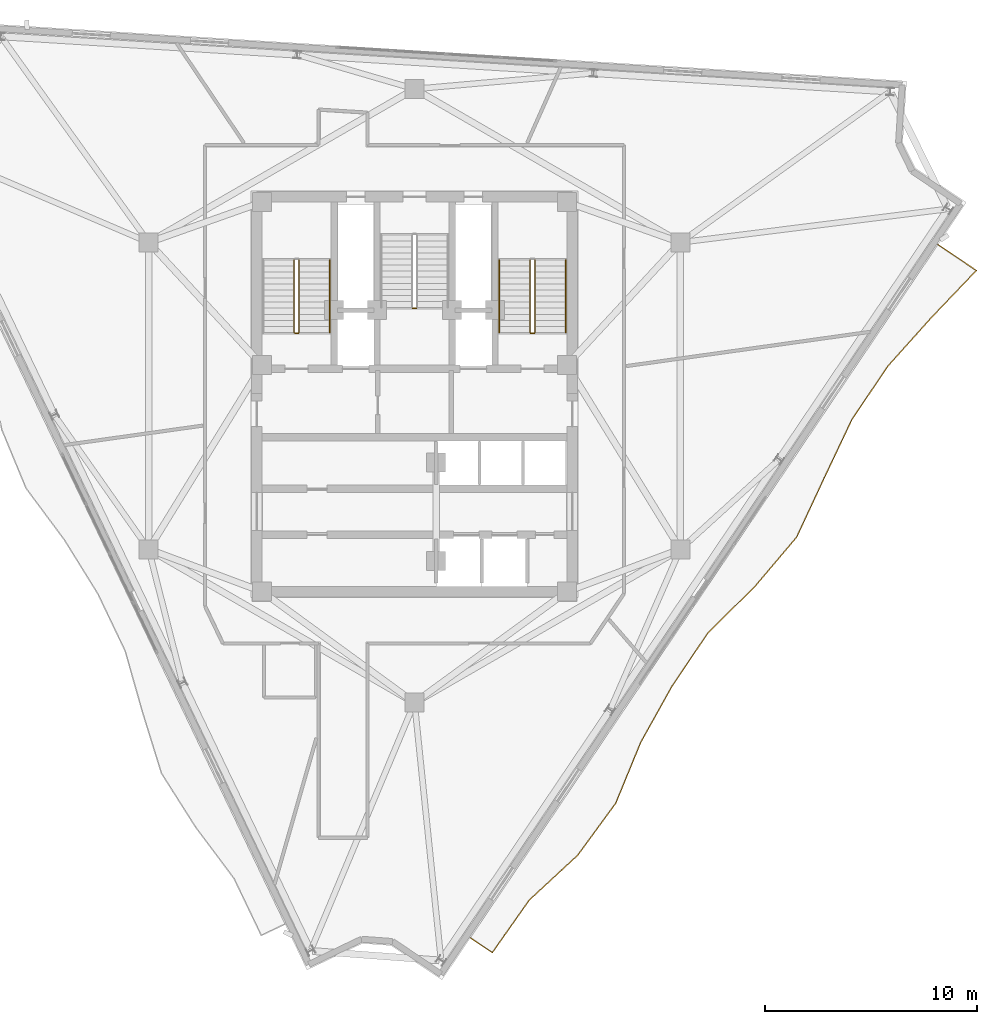
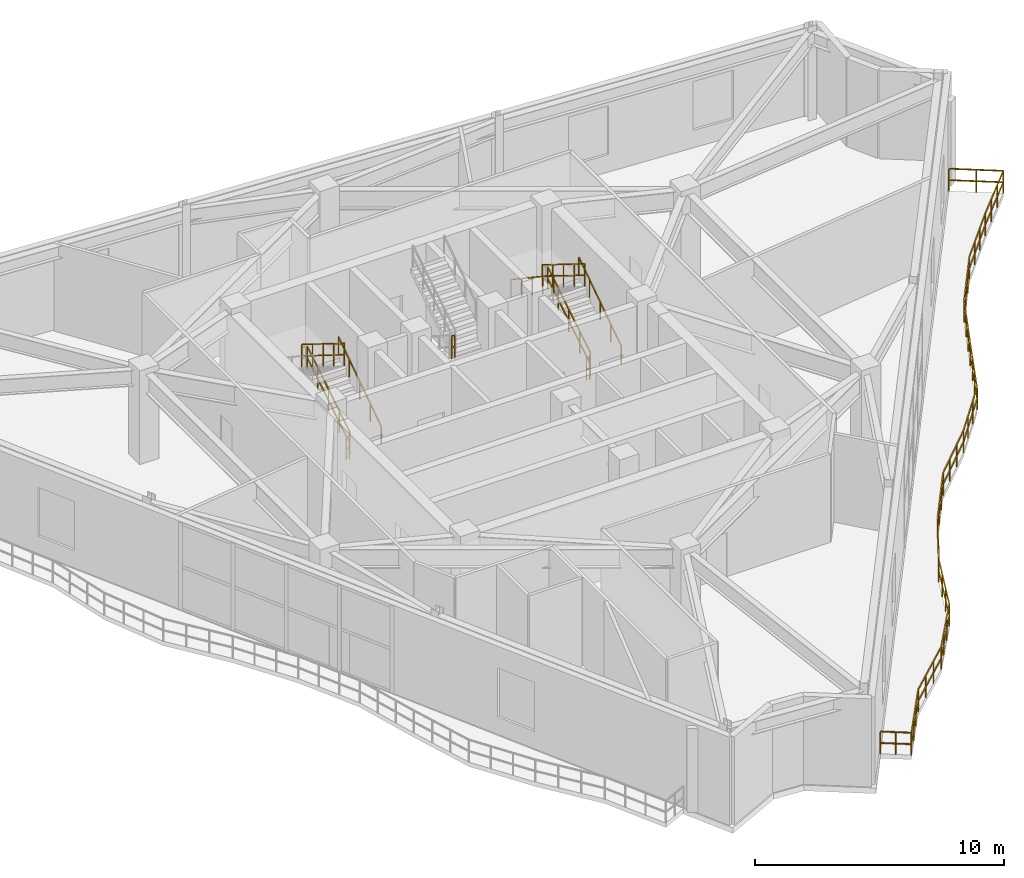
# One storey, part 14 of 15: 11 railings.
"""IFC4 building model written with IfcOpenShell, lengths in metres."""

from ifc_helpers import new_model, si_unit, direction, frame, origin, origin_2d, place, context, subcontext, project, spatial, rectangle, extrude, material, type_object, element, save


model = new_model("IFC4")

# Units and contexts
model_context = context("Model", 3, precision=1e-05, world=origin(), true_north=direction((0.0, 1.0)))
body_context = subcontext(model_context, "Body", "Model", "MODEL_VIEW")
ifc_project = project(units=[si_unit("LENGTHUNIT", "METRE"), si_unit("AREAUNIT", "SQUARE_METRE"), si_unit("VOLUMEUNIT", "CUBIC_METRE"), si_unit("PLANEANGLEUNIT", "RADIAN"), si_unit("MASSUNIT", "GRAM", prefix="KILO")], contexts=[model_context])

# Site, building, storey
site_placement = place(None, origin())
site = spatial("IfcSite", under=ifc_project, at=site_placement, CompositionType="ELEMENT")
building_placement = place(site_placement, origin())
building = spatial("IfcBuilding", under=site, at=building_placement, Name="Apsidion Concourse Tower", CompositionType="ELEMENT")
storey_placement = place(building_placement, frame((0.0, 0.0, 318.800048828125)))
storey = spatial("IfcBuildingStorey", under=building, at=storey_placement, Name="L75", CompositionType="ELEMENT", Elevation=318.800048828125)

# Railings
ifc_material = material(Name="Brushed stainless steel 316", Category="steel")
railing_type_1 = type_object("IfcRailingType", Name="RL-BAL-1120", PredefinedType="BALUSTRADE", material=ifc_material)
railing_1_placement = place(storey_placement, frame((24.735595703125, 7.147216796875, 0.0)))
element("IfcRailing", 1, at=railing_1_placement, inside=storey, type_object=railing_type_1, Name="L75 Face 2 Rippling Balcony Balustrade", PredefinedType="BALUSTRADE", context=body_context, shape_type="SweptSolid", body=[
    extrude(rectangle(XDim=0.048095703125, YDim=0.048095703125, at=origin_2d()), frame((0.0, 0.0, 1.09619140625), z_axis=(0.8290516813, -0.559171985827, 0.0), x_axis=(0.559171985827, 0.8290516813, 0.0)), (0.0, 0.0, 1.0), 2.188232421875),
    extrude(rectangle(XDim=0.048095703125, YDim=0.048095703125, at=origin_2d()), frame((0.0, 0.0, 0.5361328125), z_axis=(0.8290516813, -0.559171985827, 0.0), x_axis=(0.559171985827, 0.8290516813, 0.0)), (0.0, 0.0, 1.0), 2.188232421875),
    extrude(rectangle(XDim=0.048095703125, YDim=0.048095703125, at=origin_2d()), frame((1.814208984375, -1.2236328125, 1.09619140625), z_axis=(-0.690445615057, -0.72338430495, 0.0), x_axis=(0.72338430495, -0.690445615057, 0.0)), (0.0, 0.0, 1.0), 3.08349609375),
    extrude(rectangle(XDim=0.048095703125, YDim=0.048095703125, at=origin_2d()), frame((1.814208984375, -1.2236328125, 0.5361328125), z_axis=(-0.690445615057, -0.72338430495, 0.0), x_axis=(0.72338430495, -0.690445615057, 0.0)), (0.0, 0.0, 1.0), 3.08349609375),
    extrude(rectangle(XDim=0.048095703125, YDim=0.048095703125, at=origin_2d()), frame((-0.314697265625, -3.4541015625, 1.09619140625), z_axis=(-0.66759216332, -0.744527167721, 0.0), x_axis=(0.744527167721, -0.66759216332, 0.0)), (0.0, 0.0, 1.0), 3.068603515625),
    extrude(rectangle(XDim=0.048095703125, YDim=0.048095703125, at=origin_2d()), frame((-0.314697265625, -3.4541015625, 0.5361328125), z_axis=(-0.66759216332, -0.744527167721, 0.0), x_axis=(0.744527167721, -0.66759216332, 0.0)), (0.0, 0.0, 1.0), 3.068603515625),
    extrude(rectangle(XDim=0.048095703125, YDim=0.048095703125, at=origin_2d()), frame((-2.36328125, -5.73876953125, 1.09619140625), z_axis=(-0.559177617013, -0.829047883196, 0.0), x_axis=(0.829047883196, -0.559177617013, 0.0)), (0.0, 0.0, 1.0), 3.03955078125),
    extrude(rectangle(XDim=0.048095703125, YDim=0.048095703125, at=origin_2d()), frame((-2.36328125, -5.73876953125, 0.5361328125), z_axis=(-0.559177617013, -0.829047883196, 0.0), x_axis=(0.829047883196, -0.559177617013, 0.0)), (0.0, 0.0, 1.0), 3.03955078125),
    extrude(rectangle(XDim=0.048095703125, YDim=0.048095703125, at=origin_2d()), frame((-4.06298828125, -8.2587890625, 1.09619140625), z_axis=(-0.428086344739, -0.903737838894, 0.0), x_axis=(0.903737838894, -0.428086344739, 0.0)), (0.0, 0.0, 1.0), 3.074462890625),
    extrude(rectangle(XDim=0.048095703125, YDim=0.048095703125, at=origin_2d()), frame((-4.06298828125, -8.2587890625, 0.5361328125), z_axis=(-0.428086344739, -0.903737838894, 0.0), x_axis=(0.903737838894, -0.428086344739, 0.0)), (0.0, 0.0, 1.0), 3.074462890625),
    extrude(rectangle(XDim=0.048095703125, YDim=0.048095703125, at=origin_2d()), frame((-5.379150390625, -11.037353515625, 1.09619140625), z_axis=(-0.422355557986, -0.906430241463, 0.0), x_axis=(0.906430241463, -0.422355557986, 0.0)), (0.0, 0.0, 1.0), 3.077392578125),
    extrude(rectangle(XDim=0.048095703125, YDim=0.048095703125, at=origin_2d()), frame((-5.379150390625, -11.037353515625, 0.5361328125), z_axis=(-0.422355557986, -0.906430241463, 0.0), x_axis=(0.906430241463, -0.422355557986, 0.0)), (0.0, 0.0, 1.0), 3.077392578125),
    extrude(rectangle(XDim=0.048095703125, YDim=0.048095703125, at=origin_2d()), frame((-6.678955078125, -13.826904296875, 1.09619140625), z_axis=(-0.645985188841, -0.76334994321, 0.0), x_axis=(0.76334994321, -0.645985188841, 0.0)), (0.0, 0.0, 1.0), 3.057861328125),
    extrude(rectangle(XDim=0.048095703125, YDim=0.048095703125, at=origin_2d()), frame((-6.678955078125, -13.826904296875, 0.5361328125), z_axis=(-0.645985188841, -0.76334994321, 0.0), x_axis=(0.76334994321, -0.645985188841, 0.0)), (0.0, 0.0, 1.0), 3.057861328125),
    extrude(rectangle(XDim=0.048095703125, YDim=0.048095703125, at=origin_2d()), frame((-8.654296875, -16.1611328125, 1.09619140625), z_axis=(-0.711932475654, -0.702247926383, 0.0), x_axis=(0.702247926383, -0.711932475654, 0.0)), (0.0, 0.0, 1.0), 3.100830078125),
    extrude(rectangle(XDim=0.048095703125, YDim=0.048095703125, at=origin_2d()), frame((-8.654296875, -16.1611328125, 0.5361328125), z_axis=(-0.711932475654, -0.702247926383, 0.0), x_axis=(0.702247926383, -0.711932475654, 0.0)), (0.0, 0.0, 1.0), 3.100830078125),
    extrude(rectangle(XDim=0.048095703125, YDim=0.048095703125, at=origin_2d()), frame((-10.86181640625, -18.338623046875, 1.09619140625), z_axis=(-0.559214853397, -0.82902276672, 0.0), x_axis=(0.82902276672, -0.559214853397, 0.0)), (0.0, 0.0, 1.0), 3.03955078125),
    extrude(rectangle(XDim=0.048095703125, YDim=0.048095703125, at=origin_2d()), frame((-10.86181640625, -18.338623046875, 0.5361328125), z_axis=(-0.559214853397, -0.82902276672, 0.0), x_axis=(0.82902276672, -0.559214853397, 0.0)), (0.0, 0.0, 1.0), 3.03955078125),
    extrude(rectangle(XDim=0.048095703125, YDim=0.048095703125, at=origin_2d()), frame((-12.5615234375, -20.8583984375, 1.09619140625), z_axis=(-0.486593966208, -0.873628245909, 0.0), x_axis=(0.873628245909, -0.486593966208, 0.0)), (0.0, 0.0, 1.0), 3.050537109375),
    extrude(rectangle(XDim=0.048095703125, YDim=0.048095703125, at=origin_2d()), frame((-12.5615234375, -20.8583984375, 0.5361328125), z_axis=(-0.486593966208, -0.873628245909, 0.0), x_axis=(0.873628245909, -0.486593966208, 0.0)), (0.0, 0.0, 1.0), 3.050537109375),
    extrude(rectangle(XDim=0.048095703125, YDim=0.048095703125, at=origin_2d()), frame((-14.0458984375, -23.5234375, 1.09619140625), z_axis=(-0.379728966682, -0.925097785027, 0.0), x_axis=(0.925097785027, -0.379728966682, 0.0)), (0.0, 0.0, 1.0), 3.10400390625),
    extrude(rectangle(XDim=0.048095703125, YDim=0.048095703125, at=origin_2d()), frame((-14.0458984375, -23.5234375, 0.5361328125), z_axis=(-0.379728966682, -0.925097785027, 0.0), x_axis=(0.925097785027, -0.379728966682, 0.0)), (0.0, 0.0, 1.0), 3.10400390625),
    extrude(rectangle(XDim=0.048095703125, YDim=0.048095703125, at=origin_2d()), frame((-15.224609375, -26.39501953125, 1.09619140625), z_axis=(-0.590026651424, -0.807383769102, 0.0), x_axis=(0.807383769102, -0.590026651424, 0.0)), (0.0, 0.0, 1.0), 3.041748046875),
    extrude(rectangle(XDim=0.048095703125, YDim=0.048095703125, at=origin_2d()), frame((-15.224609375, -26.39501953125, 0.5361328125), z_axis=(-0.590026651424, -0.807383769102, 0.0), x_axis=(0.807383769102, -0.590026651424, 0.0)), (0.0, 0.0, 1.0), 3.041748046875),
    extrude(rectangle(XDim=0.048095703125, YDim=0.048095703125, at=origin_2d()), frame((-17.019287109375, -28.850830078125, 1.09619140625), z_axis=(-0.73375923013, -0.679409590895, 0.0), x_axis=(0.679409590895, -0.73375923013, 0.0)), (0.0, 0.0, 1.0), 3.1220703125),
    extrude(rectangle(XDim=0.048095703125, YDim=0.048095703125, at=origin_2d()), frame((-17.019287109375, -28.850830078125, 0.5361328125), z_axis=(-0.73375923013, -0.679409590895, 0.0), x_axis=(0.679409590895, -0.73375923013, 0.0)), (0.0, 0.0, 1.0), 3.1220703125),
    extrude(rectangle(XDim=0.048095703125, YDim=0.048095703125, at=origin_2d()), frame((-19.31005859375, -30.971923828125, 1.09619140625), z_axis=(-0.575610760272, -0.817723824197, 0.0), x_axis=(0.817723824197, -0.575610760272, 0.0)), (0.0, 0.0, 1.0), 3.040283203125),
    extrude(rectangle(XDim=0.048095703125, YDim=0.048095703125, at=origin_2d()), frame((-19.31005859375, -30.971923828125, 0.5361328125), z_axis=(-0.575610760272, -0.817723824197, 0.0), x_axis=(0.817723824197, -0.575610760272, 0.0)), (0.0, 0.0, 1.0), 3.040283203125),
    extrude(rectangle(XDim=0.048095703125, YDim=0.048095703125, at=origin_2d()), frame((-21.06005859375, -33.4580078125, 1.09619140625), z_axis=(-0.829002629562, 0.559244705098, 0.0), x_axis=(-0.559244705098, -0.829002629562, 0.0)), (0.0, 0.0, 1.0), 1.249755859375),
    extrude(rectangle(XDim=0.048095703125, YDim=0.048095703125, at=origin_2d()), frame((-21.06005859375, -33.4580078125, 0.5361328125), z_axis=(-0.829002629562, 0.559244705098, 0.0), x_axis=(-0.559244705098, -0.829002629562, 0.0)), (0.0, 0.0, 1.0), 1.249755859375),
    extrude(rectangle(XDim=0.0419921875, YDim=0.0419921875, at=origin_2d()), origin(), (0.0, 0.0, 1.0), 1.072021484375),
    extrude(rectangle(XDim=0.0419921875, YDim=0.0419921875, at=origin_2d()), frame((0.9072265625, -0.61181640625, 0.0)), (0.0, 0.0, 1.0), 1.072021484375),
    extrude(rectangle(XDim=0.0419921875, YDim=0.0419921875, at=origin_2d()), frame((1.814208984375, -1.2236328125, 0.0)), (0.0, 0.0, 1.0), 1.072021484375),
    extrude(rectangle(XDim=0.0419921875, YDim=0.0419921875, at=origin_2d()), frame((1.1044921875, -1.967041015625, 0.0)), (0.0, 0.0, 1.0), 1.072021484375),
    extrude(rectangle(XDim=0.0419921875, YDim=0.0419921875, at=origin_2d()), frame((0.39501953125, -2.710693359375, 0.0)), (0.0, 0.0, 1.0), 1.072021484375),
    extrude(rectangle(XDim=0.0419921875, YDim=0.0419921875, at=origin_2d()), frame((-0.314697265625, -3.4541015625, 0.0)), (0.0, 0.0, 1.0), 1.072021484375),
    extrude(rectangle(XDim=0.0419921875, YDim=0.0419921875, at=origin_2d()), frame((-0.99755859375, -4.215576171875, 0.0)), (0.0, 0.0, 1.0), 1.072021484375),
    extrude(rectangle(XDim=0.0419921875, YDim=0.0419921875, at=origin_2d()), frame((-1.680419921875, -4.977294921875, 0.0)), (0.0, 0.0, 1.0), 1.072021484375),
    extrude(rectangle(XDim=0.0419921875, YDim=0.0419921875, at=origin_2d()), frame((-2.36328125, -5.73876953125, 0.0)), (0.0, 0.0, 1.0), 1.072021484375),
    extrude(rectangle(XDim=0.0419921875, YDim=0.0419921875, at=origin_2d()), frame((-2.929931640625, -6.578857421875, 0.0)), (0.0, 0.0, 1.0), 1.072021484375),
    extrude(rectangle(XDim=0.0419921875, YDim=0.0419921875, at=origin_2d()), frame((-3.496337890625, -7.418701171875, 0.0)), (0.0, 0.0, 1.0), 1.072021484375),
    extrude(rectangle(XDim=0.0419921875, YDim=0.0419921875, at=origin_2d()), frame((-4.06298828125, -8.2587890625, 0.0)), (0.0, 0.0, 1.0), 1.072021484375),
    extrude(rectangle(XDim=0.0419921875, YDim=0.0419921875, at=origin_2d()), frame((-4.501708984375, -9.18505859375, 0.0)), (0.0, 0.0, 1.0), 1.072021484375),
    extrude(rectangle(XDim=0.0419921875, YDim=0.0419921875, at=origin_2d()), frame((-4.9404296875, -10.111083984375, 0.0)), (0.0, 0.0, 1.0), 1.072021484375),
    extrude(rectangle(XDim=0.0419921875, YDim=0.0419921875, at=origin_2d()), frame((-5.379150390625, -11.037353515625, 0.0)), (0.0, 0.0, 1.0), 1.072021484375),
    extrude(rectangle(XDim=0.0419921875, YDim=0.0419921875, at=origin_2d()), frame((-5.8125, -11.96728515625, 0.0)), (0.0, 0.0, 1.0), 1.072021484375),
    extrude(rectangle(XDim=0.0419921875, YDim=0.0419921875, at=origin_2d()), frame((-6.24560546875, -12.89697265625, 0.0)), (0.0, 0.0, 1.0), 1.072021484375),
    extrude(rectangle(XDim=0.0419921875, YDim=0.0419921875, at=origin_2d()), frame((-6.678955078125, -13.826904296875, 0.0)), (0.0, 0.0, 1.0), 1.072021484375),
    extrude(rectangle(XDim=0.0419921875, YDim=0.0419921875, at=origin_2d()), frame((-7.33740234375, -14.60498046875, 0.0)), (0.0, 0.0, 1.0), 1.072021484375),
    extrude(rectangle(XDim=0.0419921875, YDim=0.0419921875, at=origin_2d()), frame((-7.995849609375, -15.383056640625, 0.0)), (0.0, 0.0, 1.0), 1.072021484375),
    extrude(rectangle(XDim=0.0419921875, YDim=0.0419921875, at=origin_2d()), frame((-8.654296875, -16.1611328125, 0.0)), (0.0, 0.0, 1.0), 1.072021484375),
    extrude(rectangle(XDim=0.0419921875, YDim=0.0419921875, at=origin_2d()), frame((-9.39013671875, -16.886962890625, 0.0)), (0.0, 0.0, 1.0), 1.072021484375),
    extrude(rectangle(XDim=0.0419921875, YDim=0.0419921875, at=origin_2d()), frame((-10.1259765625, -17.61279296875, 0.0)), (0.0, 0.0, 1.0), 1.072021484375),
    extrude(rectangle(XDim=0.0419921875, YDim=0.0419921875, at=origin_2d()), frame((-10.86181640625, -18.338623046875, 0.0)), (0.0, 0.0, 1.0), 1.072021484375),
    extrude(rectangle(XDim=0.0419921875, YDim=0.0419921875, at=origin_2d()), frame((-11.428466796875, -19.178466796875, 0.0)), (0.0, 0.0, 1.0), 1.072021484375),
    extrude(rectangle(XDim=0.0419921875, YDim=0.0419921875, at=origin_2d()), frame((-11.994873046875, -20.0185546875, 0.0)), (0.0, 0.0, 1.0), 1.072021484375),
    extrude(rectangle(XDim=0.0419921875, YDim=0.0419921875, at=origin_2d()), frame((-12.5615234375, -20.8583984375, 0.0)), (0.0, 0.0, 1.0), 1.072021484375),
    extrude(rectangle(XDim=0.0419921875, YDim=0.0419921875, at=origin_2d()), frame((-13.056396484375, -21.746826171875, 0.0)), (0.0, 0.0, 1.0), 1.072021484375),
    extrude(rectangle(XDim=0.0419921875, YDim=0.0419921875, at=origin_2d()), frame((-13.551025390625, -22.635009765625, 0.0)), (0.0, 0.0, 1.0), 1.072021484375),
    extrude(rectangle(XDim=0.0419921875, YDim=0.0419921875, at=origin_2d()), frame((-14.0458984375, -23.5234375, 0.0)), (0.0, 0.0, 1.0), 1.072021484375),
    extrude(rectangle(XDim=0.0419921875, YDim=0.0419921875, at=origin_2d()), frame((-14.438720703125, -24.480712890625, 0.0)), (0.0, 0.0, 1.0), 1.072021484375),
    extrude(rectangle(XDim=0.0419921875, YDim=0.0419921875, at=origin_2d()), frame((-14.831787109375, -25.437744140625, 0.0)), (0.0, 0.0, 1.0), 1.072021484375),
    extrude(rectangle(XDim=0.0419921875, YDim=0.0419921875, at=origin_2d()), frame((-15.224609375, -26.39501953125, 0.0)), (0.0, 0.0, 1.0), 1.072021484375),
    extrude(rectangle(XDim=0.0419921875, YDim=0.0419921875, at=origin_2d()), frame((-15.82275390625, -27.213623046875, 0.0)), (0.0, 0.0, 1.0), 1.072021484375),
    extrude(rectangle(XDim=0.0419921875, YDim=0.0419921875, at=origin_2d()), frame((-16.421142578125, -28.0322265625, 0.0)), (0.0, 0.0, 1.0), 1.072021484375),
    extrude(rectangle(XDim=0.0419921875, YDim=0.0419921875, at=origin_2d()), frame((-17.019287109375, -28.850830078125, 0.0)), (0.0, 0.0, 1.0), 1.072021484375),
    extrude(rectangle(XDim=0.0419921875, YDim=0.0419921875, at=origin_2d()), frame((-17.782958984375, -29.557861328125, 0.0)), (0.0, 0.0, 1.0), 1.072021484375),
    extrude(rectangle(XDim=0.0419921875, YDim=0.0419921875, at=origin_2d()), frame((-18.54638671875, -30.264892578125, 0.0)), (0.0, 0.0, 1.0), 1.072021484375),
    extrude(rectangle(XDim=0.0419921875, YDim=0.0419921875, at=origin_2d()), frame((-19.31005859375, -30.971923828125, 0.0)), (0.0, 0.0, 1.0), 1.072021484375),
    extrude(rectangle(XDim=0.0419921875, YDim=0.0419921875, at=origin_2d()), frame((-19.893310546875, -31.800537109375, 0.0)), (0.0, 0.0, 1.0), 1.072021484375),
    extrude(rectangle(XDim=0.0419921875, YDim=0.0419921875, at=origin_2d()), frame((-20.476806640625, -32.62939453125, 0.0)), (0.0, 0.0, 1.0), 1.072021484375),
    extrude(rectangle(XDim=0.0419921875, YDim=0.0419921875, at=origin_2d()), frame((-21.06005859375, -33.4580078125, 0.0)), (0.0, 0.0, 1.0), 1.072021484375),
    extrude(rectangle(XDim=0.0419921875, YDim=0.0419921875, at=origin_2d()), frame((-21.578125, -33.1083984375, 0.0)), (0.0, 0.0, 1.0), 1.072021484375),
    extrude(rectangle(XDim=0.0419921875, YDim=0.0419921875, at=origin_2d()), frame((-22.09619140625, -32.759033203125, 0.0)), (0.0, 0.0, 1.0), 1.072021484375),
])
railing_type_2 = type_object("IfcRailingType", Name="RL-GUARD-1100", PredefinedType="GUARDRAIL", material=ifc_material)
railing_2_placement = place(storey_placement, frame((-5.449951171875, 3.0, 0.1767578125)))
element("IfcRailing", 2, at=railing_2_placement, inside=storey, type_object=railing_type_2, Name="L75 ST1 stair guard 1", PredefinedType="GUARDRAIL", context=body_context, shape_type="SweptSolid", body=[
    extrude(rectangle(XDim=0.048095703125, YDim=0.048095703125, at=origin_2d()), frame((0.0, 0.0, 1.09619140625), z_axis=(0.0, 0.849575501924, 0.527467028857), x_axis=(-1.0, 0.0, 0.0)), (0.0, 0.0, 1.0), 4.025390625),
    extrude(rectangle(XDim=0.048095703125, YDim=0.048095703125, at=origin_2d()), frame((0.0, 0.0, 0.5361328125), z_axis=(0.0, 0.849575501924, 0.527467028857), x_axis=(-1.0, 0.0, 0.0)), (0.0, 0.0, 1.0), 4.025390625),
    extrude(rectangle(XDim=0.0419921875, YDim=0.0419921875, at=origin_2d()), origin(), (0.0, 0.0, 1.0), 1.072021484375),
    extrude(rectangle(XDim=0.0419921875, YDim=0.0419921875, at=origin_2d()), frame((0.0, 0.85498046875, 0.53076171875)), (0.0, 0.0, 1.0), 1.072021484375),
    extrude(rectangle(XDim=0.0419921875, YDim=0.0419921875, at=origin_2d()), frame((0.0, 1.7099609375, 1.0615234375)), (0.0, 0.0, 1.0), 1.072021484375),
    extrude(rectangle(XDim=0.0419921875, YDim=0.0419921875, at=origin_2d()), frame((0.0, 2.56494140625, 1.592529296875)), (0.0, 0.0, 1.0), 1.072021484375),
    extrude(rectangle(XDim=0.0419921875, YDim=0.0419921875, at=origin_2d()), frame((0.0, 3.419921875, 2.123291015625)), (0.0, 0.0, 1.0), 1.072021484375),
])
railing_3_placement = place(storey_placement, frame((-5.699951171875, 6.419921875, 2.476806640625)))
element("IfcRailing", 3, at=railing_3_placement, inside=storey, type_object=railing_type_2, Name="L75 ST1 stair guard 3", PredefinedType="GUARDRAIL", context=body_context, shape_type="SweptSolid", body=[
    extrude(rectangle(XDim=0.048095703125, YDim=0.048095703125, at=origin_2d()), frame((0.0, 0.0, 1.09619140625), z_axis=(0.0, -0.849602680019, 0.527423251388), x_axis=(1.0, 0.0, 0.0)), (0.0, 0.0, 1.0), 4.025390625),
    extrude(rectangle(XDim=0.048095703125, YDim=0.048095703125, at=origin_2d()), frame((0.0, 0.0, 0.5361328125), z_axis=(0.0, -0.849602680019, 0.527423251388), x_axis=(1.0, 0.0, 0.0)), (0.0, 0.0, 1.0), 4.025390625),
    extrude(rectangle(XDim=0.0419921875, YDim=0.0419921875, at=origin_2d()), origin(), (0.0, 0.0, 1.0), 1.072021484375),
    extrude(rectangle(XDim=0.0419921875, YDim=0.0419921875, at=origin_2d()), frame((0.0, -0.85498046875, 0.53076171875)), (0.0, 0.0, 1.0), 1.072021484375),
    extrude(rectangle(XDim=0.0419921875, YDim=0.0419921875, at=origin_2d()), frame((0.0, -1.7099609375, 1.0615234375)), (0.0, 0.0, 1.0), 1.072021484375),
    extrude(rectangle(XDim=0.0419921875, YDim=0.0419921875, at=origin_2d()), frame((0.0, -2.56494140625, 1.59228515625)), (0.0, 0.0, 1.0), 1.072021484375),
    extrude(rectangle(XDim=0.0419921875, YDim=0.0419921875, at=origin_2d()), frame((0.0, -3.419921875, 2.123046875)), (0.0, 0.0, 1.0), 1.072021484375),
])
railing_4_placement = place(storey_placement, frame((-5.5, 2.949951171875, 0.0)))
element("IfcRailing", 4, at=railing_4_placement, inside=storey, type_object=railing_type_2, Name="L75 ST1 stair guard 4", PredefinedType="GUARDRAIL", context=body_context, shape_type="SweptSolid", body=[
    extrude(rectangle(XDim=0.048095703125, YDim=0.048095703125, at=origin_2d()), frame((0.0, 0.0, 1.09619140625), z_axis=(-1.0, 0.0, 0.0), x_axis=(0.0, -1.0, 0.0)), (0.0, 0.0, 1.0), 0.14990234375),
    extrude(rectangle(XDim=0.048095703125, YDim=0.048095703125, at=origin_2d()), frame((0.0, 0.0, 0.5361328125), z_axis=(-1.0, 0.0, 0.0), x_axis=(0.0, -1.0, 0.0)), (0.0, 0.0, 1.0), 0.14990234375),
    extrude(rectangle(XDim=0.0419921875, YDim=0.0419921875, at=origin_2d()), origin(), (0.0, 0.0, 1.0), 1.072021484375),
    extrude(rectangle(XDim=0.0419921875, YDim=0.0419921875, at=origin_2d()), frame((-0.14990234375, 0.0, 0.0)), (0.0, 0.0, 1.0), 1.072021484375),
])
railing_5_placement = place(storey_placement, frame((5.699951171875, 3.0, 0.1767578125)))
element("IfcRailing", 5, at=railing_5_placement, inside=storey, type_object=railing_type_2, Name="L75 ST2 stair guard 1", PredefinedType="GUARDRAIL", context=body_context, shape_type="SweptSolid", body=[
    extrude(rectangle(XDim=0.048095703125, YDim=0.048095703125, at=origin_2d()), frame((0.0, 0.0, 1.09619140625), z_axis=(0.0, 0.849575501924, 0.527467028857), x_axis=(-1.0, 0.0, 0.0)), (0.0, 0.0, 1.0), 4.025390625),
    extrude(rectangle(XDim=0.048095703125, YDim=0.048095703125, at=origin_2d()), frame((0.0, 0.0, 0.5361328125), z_axis=(0.0, 0.849575501924, 0.527467028857), x_axis=(-1.0, 0.0, 0.0)), (0.0, 0.0, 1.0), 4.025390625),
    extrude(rectangle(XDim=0.0419921875, YDim=0.0419921875, at=origin_2d()), origin(), (0.0, 0.0, 1.0), 1.072021484375),
    extrude(rectangle(XDim=0.0419921875, YDim=0.0419921875, at=origin_2d()), frame((0.0, 0.85498046875, 0.53076171875)), (0.0, 0.0, 1.0), 1.072021484375),
    extrude(rectangle(XDim=0.0419921875, YDim=0.0419921875, at=origin_2d()), frame((0.0, 1.7099609375, 1.0615234375)), (0.0, 0.0, 1.0), 1.072021484375),
    extrude(rectangle(XDim=0.0419921875, YDim=0.0419921875, at=origin_2d()), frame((0.0, 2.56494140625, 1.592529296875)), (0.0, 0.0, 1.0), 1.072021484375),
    extrude(rectangle(XDim=0.0419921875, YDim=0.0419921875, at=origin_2d()), frame((0.0, 3.419921875, 2.123291015625)), (0.0, 0.0, 1.0), 1.072021484375),
])
railing_6_placement = place(storey_placement, frame((5.449951171875, 6.419921875, 2.476806640625)))
element("IfcRailing", 6, at=railing_6_placement, inside=storey, type_object=railing_type_2, Name="L75 ST2 stair guard 3", PredefinedType="GUARDRAIL", context=body_context, shape_type="SweptSolid", body=[
    extrude(rectangle(XDim=0.048095703125, YDim=0.048095703125, at=origin_2d()), frame((0.0, 0.0, 1.09619140625), z_axis=(0.0, -0.849602680019, 0.527423251388), x_axis=(1.0, 0.0, 0.0)), (0.0, 0.0, 1.0), 4.025390625),
    extrude(rectangle(XDim=0.048095703125, YDim=0.048095703125, at=origin_2d()), frame((0.0, 0.0, 0.5361328125), z_axis=(0.0, -0.849602680019, 0.527423251388), x_axis=(1.0, 0.0, 0.0)), (0.0, 0.0, 1.0), 4.025390625),
    extrude(rectangle(XDim=0.0419921875, YDim=0.0419921875, at=origin_2d()), origin(), (0.0, 0.0, 1.0), 1.072021484375),
    extrude(rectangle(XDim=0.0419921875, YDim=0.0419921875, at=origin_2d()), frame((0.0, -0.85498046875, 0.53076171875)), (0.0, 0.0, 1.0), 1.072021484375),
    extrude(rectangle(XDim=0.0419921875, YDim=0.0419921875, at=origin_2d()), frame((0.0, -1.7099609375, 1.0615234375)), (0.0, 0.0, 1.0), 1.072021484375),
    extrude(rectangle(XDim=0.0419921875, YDim=0.0419921875, at=origin_2d()), frame((0.0, -2.56494140625, 1.59228515625)), (0.0, 0.0, 1.0), 1.072021484375),
    extrude(rectangle(XDim=0.0419921875, YDim=0.0419921875, at=origin_2d()), frame((0.0, -3.419921875, 2.123046875)), (0.0, 0.0, 1.0), 1.072021484375),
])
railing_7_placement = place(storey_placement, frame((5.64990234375, 2.949951171875, 0.0)))
element("IfcRailing", 7, at=railing_7_placement, inside=storey, type_object=railing_type_2, Name="L75 ST2 stair guard 4", PredefinedType="GUARDRAIL", context=body_context, shape_type="SweptSolid", body=[
    extrude(rectangle(XDim=0.048095703125, YDim=0.048095703125, at=origin_2d()), frame((0.0, 0.0, 1.09619140625), z_axis=(-1.0, 0.0, 0.0), x_axis=(0.0, -1.0, 0.0)), (0.0, 0.0, 1.0), 0.14990234375),
    extrude(rectangle(XDim=0.048095703125, YDim=0.048095703125, at=origin_2d()), frame((0.0, 0.0, 0.5361328125), z_axis=(-1.0, 0.0, 0.0), x_axis=(0.0, -1.0, 0.0)), (0.0, 0.0, 1.0), 0.14990234375),
    extrude(rectangle(XDim=0.0419921875, YDim=0.0419921875, at=origin_2d()), origin(), (0.0, 0.0, 1.0), 1.072021484375),
    extrude(rectangle(XDim=0.0419921875, YDim=0.0419921875, at=origin_2d()), frame((-0.14990234375, 0.0, 0.0)), (0.0, 0.0, 1.0), 1.072021484375),
])
railing_8_placement = place(storey_placement, frame((-0.074951171875, 4.1298828125, 2.300048828125)))
element("IfcRailing", 8, at=railing_8_placement, inside=storey, type_object=railing_type_2, Name="L75 ST3 stair guard 2", PredefinedType="GUARDRAIL", context=body_context, shape_type="SweptSolid", body=[
    extrude(rectangle(XDim=0.048095703125, YDim=0.048095703125, at=origin_2d()), frame((0.0, 0.0, 1.09619140625), z_axis=(1.0, 0.0, 0.0), x_axis=(0.0, 1.0, 0.0)), (0.0, 0.0, 1.0), 0.14990234375),
    extrude(rectangle(XDim=0.048095703125, YDim=0.048095703125, at=origin_2d()), frame((0.0, 0.0, 0.5361328125), z_axis=(1.0, 0.0, 0.0), x_axis=(0.0, 1.0, 0.0)), (0.0, 0.0, 1.0), 0.14990234375),
    extrude(rectangle(XDim=0.0419921875, YDim=0.0419921875, at=origin_2d()), origin(), (0.0, 0.0, 1.0), 1.072021484375),
    extrude(rectangle(XDim=0.0419921875, YDim=0.0419921875, at=origin_2d()), frame((0.14990234375, 0.0, 0.0)), (0.0, 0.0, 1.0), 1.072021484375),
])
railing_type_3 = type_object("IfcRailingType", Name="RL-HAND-900", PredefinedType="HANDRAIL", material=ifc_material)
for number, where, name in (
    (9, (-4.0, 3.0, 0.1767578125), "L75 ST1 stair handrail 1"),
    (10, (7.14990234375, 3.0, 0.1767578125), "L75 ST2 stair handrail 1"),
):
    element("IfcRailing", number, at=place(storey_placement, frame(where)), inside=storey, type_object=railing_type_3, Name=name, PredefinedType="HANDRAIL", context=body_context, shape_type="SweptSolid", body=[
        extrude(rectangle(XDim=0.048095703125, YDim=0.048095703125, at=origin_2d()), frame((0.0, 0.0, 0.8759765625), z_axis=(0.0, 0.8297924358, 0.55807214004), x_axis=(-1.0, 0.0, 0.0)), (0.0, 0.0, 1.0), 4.121337890625),
        extrude(rectangle(XDim=0.0419921875, YDim=0.0419921875, at=origin_2d()), origin(), (0.0, 0.0, 1.0), 0.851806640625),
        extrude(rectangle(XDim=0.0419921875, YDim=0.0419921875, at=origin_2d()), frame((0.0, 0.85498046875, 0.574951171875)), (0.0, 0.0, 1.0), 0.851806640625),
        extrude(rectangle(XDim=0.0419921875, YDim=0.0419921875, at=origin_2d()), frame((0.0, 1.7099609375, 1.14990234375)), (0.0, 0.0, 1.0), 0.851806640625),
        extrude(rectangle(XDim=0.0419921875, YDim=0.0419921875, at=origin_2d()), frame((0.0, 2.56494140625, 1.72509765625)), (0.0, 0.0, 1.0), 0.851806640625),
        extrude(rectangle(XDim=0.0419921875, YDim=0.0419921875, at=origin_2d()), frame((0.0, 3.419921875, 2.300048828125)), (0.0, 0.0, 1.0), 0.851806640625),
    ])
railing_9_placement = place(storey_placement, frame((4.0, 6.419921875, 2.476806640625)))
element("IfcRailing", 11, at=railing_9_placement, inside=storey, type_object=railing_type_3, Name="L75 ST2 stair handrail 2", PredefinedType="HANDRAIL", context=body_context, shape_type="SweptSolid", body=[
    extrude(rectangle(XDim=0.048095703125, YDim=0.048095703125, at=origin_2d()), frame((0.0, 0.0, 0.8759765625), z_axis=(0.0, -0.8297924358, 0.55807214004), x_axis=(1.0, 0.0, 0.0)), (0.0, 0.0, 1.0), 4.121337890625),
    extrude(rectangle(XDim=0.0419921875, YDim=0.0419921875, at=origin_2d()), origin(), (0.0, 0.0, 1.0), 0.851806640625),
    extrude(rectangle(XDim=0.0419921875, YDim=0.0419921875, at=origin_2d()), frame((0.0, -0.85498046875, 0.574951171875)), (0.0, 0.0, 1.0), 0.851806640625),
    extrude(rectangle(XDim=0.0419921875, YDim=0.0419921875, at=origin_2d()), frame((0.0, -1.7099609375, 1.14990234375)), (0.0, 0.0, 1.0), 0.851806640625),
    extrude(rectangle(XDim=0.0419921875, YDim=0.0419921875, at=origin_2d()), frame((0.0, -2.56494140625, 1.72509765625)), (0.0, 0.0, 1.0), 0.851806640625),
    extrude(rectangle(XDim=0.0419921875, YDim=0.0419921875, at=origin_2d()), frame((0.0, -3.419921875, 2.300048828125)), (0.0, 0.0, 1.0), 0.851806640625),
])

save(model, "model.ifc")
